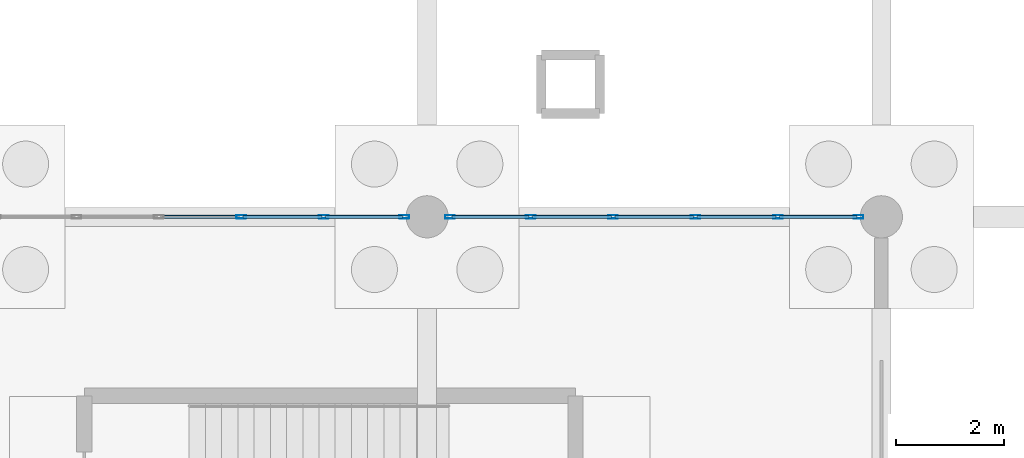
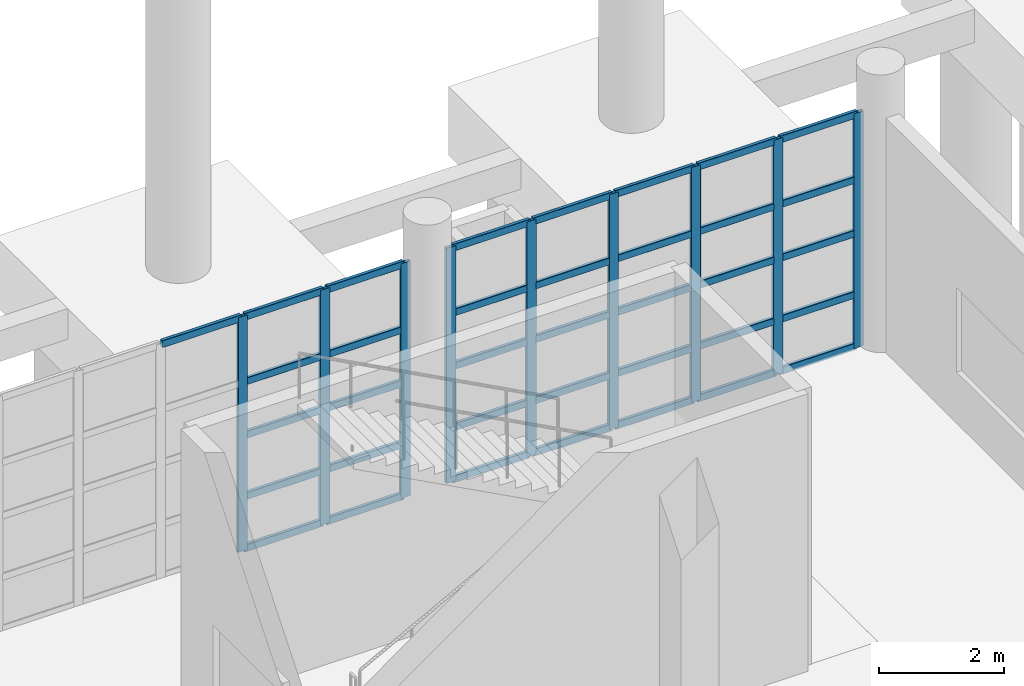
# One storey, part 36 of 83: 45 members, 2 elements without a shape of their own.
"""IFC4 building model written with IfcOpenShell, lengths in metres."""

from ifc_helpers import new_model, si_unit, direction, frame, origin, origin_2d, place, context, subcontext, project, spatial, hollow_rectangle, extrude, material, layer, layer_set, material_profile, profile_set, type_object, element, aggregate, save


model = new_model("IFC4")

# Units and contexts
model_context = context("Model", 3, precision=1e-05, world=origin(), true_north=direction((0.0, 1.0)))
body_context = subcontext(model_context, "Body", "Model", "MODEL_VIEW")
ifc_project = project(units=[si_unit("LENGTHUNIT", "METRE"), si_unit("AREAUNIT", "SQUARE_METRE"), si_unit("VOLUMEUNIT", "CUBIC_METRE"), si_unit("PLANEANGLEUNIT", "RADIAN"), si_unit("MASSUNIT", "GRAM", prefix="KILO"), si_unit("THERMODYNAMICTEMPERATUREUNIT", "KELVIN"), si_unit("POWERUNIT", "WATT")], contexts=[model_context])

# Site, building, storey
site_placement = place(None, origin())
site = spatial("IfcSite", under=ifc_project, at=site_placement, CompositionType="ELEMENT")
building_placement = place(site_placement, origin())
building = spatial("IfcBuilding", under=site, at=building_placement, Name="Mavoryth Pier Ferry Terminal", CompositionType="ELEMENT")
storey_placement = place(building_placement, origin())
storey = spatial("IfcBuildingStorey", under=building, at=storey_placement, Name="L00", CompositionType="ELEMENT", Elevation=0.0)

# Curtain wall, members
ifc_material_1 = material(Name="Anodised Aluminium and Solar-Control Low-E Glass", Category="aluminium")
ifc_layer = layer(ifc_material_1, 0.159912109375, Name="Anodised Aluminium and Solar-Control Low-E Glass", Category="aluminium")
ifc_layer_set = layer_set([ifc_layer], Name="Anodised Aluminium and Solar-Control Low-E Glass - CW-Arrivals-Mod1400")
curtain_wall_type = type_object("IfcCurtainWallType", Name="CW-Arrivals-Mod1400", PredefinedType="USERDEFINED", material=ifc_layer_set)
curtain_wall_1_placement = place(storey_placement, origin())
curtain_wall_1 = element("IfcCurtainWall", 1, at=curtain_wall_1_placement, inside=storey, type_object=curtain_wall_type, Name="Curtain Wall CW-0033-060", ObjectType="UNITISED CURTAIN WALL", PredefinedType="USERDEFINED")
ifc_material_2 = material(Name="Anodised Aluminium EN AW-6063", Category="aluminium")
ifc_material_profile_1 = material_profile(ifc_material_2, hollow_rectangle(XDim=0.06494140625, YDim=0.179931640625, WallThickness=0.00390625, InnerFilletRadius=0.00390625, OuterFilletRadius=0.008056640625, at=origin_2d()), Name="AL-MULL 180x65x4", Category="aluminium")
ifc_profile_set_1 = profile_set([ifc_material_profile_1], Name="Anodised Aluminium EN AW-6063 - AL-MULL 180x65x4")
member_type_1 = type_object("IfcMemberType", Name="Mullion-Alum-180x65", PredefinedType="MULLION", material=ifc_profile_set_1)
member_1_placement = place(storey_placement, frame((83.577392578125, 106.0, 0.0), z_axis=(0.0, 0.0, 1.0), x_axis=(0.0, -1.0, 0.0)))
member_1 = element("IfcMember", 2, at=member_1_placement, type_object=member_type_1, Name="CW04 mullion 1", PredefinedType="MULLION", context=body_context, shape_type="SweptSolid", body=[
    extrude(hollow_rectangle(XDim=0.06494140625, YDim=0.179931640625, WallThickness=0.00390625, InnerFilletRadius=0.00390625, OuterFilletRadius=0.008056640625, at=origin_2d()), origin(), (0.0, 0.0, 1.0), 4.60498046875),
])
member_2_placement = place(storey_placement, frame((82.0859375, 106.0, 0.0), z_axis=(0.0, 0.0, 1.0), x_axis=(0.0, -1.0, 0.0)))
member_2 = element("IfcMember", 3, at=member_2_placement, type_object=member_type_1, Name="CW04 mullion 2", PredefinedType="MULLION", context=body_context, shape_type="SweptSolid", body=[
    extrude(hollow_rectangle(XDim=0.06494140625, YDim=0.179931640625, WallThickness=0.00390625, InnerFilletRadius=0.00390625, OuterFilletRadius=0.008056640625, at=origin_2d()), origin(), (0.0, 0.0, 1.0), 4.60498046875),
])
member_3_placement = place(storey_placement, frame((80.56201171875, 106.0, 0.0), z_axis=(0.0, 0.0, 1.0), x_axis=(0.0, -1.0, 0.0)))
member_3 = element("IfcMember", 4, at=member_3_placement, type_object=member_type_1, Name="CW04 mullion 3", PredefinedType="MULLION", context=body_context, shape_type="SweptSolid", body=[
    extrude(hollow_rectangle(XDim=0.06494140625, YDim=0.179931640625, WallThickness=0.00390625, InnerFilletRadius=0.00390625, OuterFilletRadius=0.008056640625, at=origin_2d()), origin(), (0.0, 0.0, 1.0), 4.60498046875),
])

curtain_wall_2_placement = place(storey_placement, origin())
curtain_wall_2 = element("IfcCurtainWall", 5, at=curtain_wall_2_placement, inside=storey, type_object=curtain_wall_type, Name="Curtain Wall CW-0033-063", ObjectType="UNITISED CURTAIN WALL", PredefinedType="USERDEFINED")
member_4_placement = place(storey_placement, frame((91.9775390625, 106.0, 0.0), z_axis=(0.0, 0.0, 1.0), x_axis=(0.0, -1.0, 0.0)))
member_4 = element("IfcMember", 6, at=member_4_placement, type_object=member_type_1, Name="CW04 mullion 1", PredefinedType="MULLION", context=body_context, shape_type="SweptSolid", body=[
    extrude(hollow_rectangle(XDim=0.06494140625, YDim=0.179931640625, WallThickness=0.00390625, InnerFilletRadius=0.00390625, OuterFilletRadius=0.008056640625, at=origin_2d()), origin(), (0.0, 0.0, 1.0), 4.60498046875),
])
member_5_placement = place(storey_placement, frame((90.486083984375, 106.0, 0.0), z_axis=(0.0, 0.0, 1.0), x_axis=(0.0, -1.0, 0.0)))
member_5 = element("IfcMember", 7, at=member_5_placement, type_object=member_type_1, Name="CW04 mullion 2", PredefinedType="MULLION", context=body_context, shape_type="SweptSolid", body=[
    extrude(hollow_rectangle(XDim=0.06494140625, YDim=0.179931640625, WallThickness=0.00390625, InnerFilletRadius=0.00390625, OuterFilletRadius=0.008056640625, at=origin_2d()), origin(), (0.0, 0.0, 1.0), 4.60498046875),
])
member_6_placement = place(storey_placement, frame((88.9619140625, 106.0, 0.0), z_axis=(0.0, 0.0, 1.0), x_axis=(0.0, -1.0, 0.0)))
member_6 = element("IfcMember", 8, at=member_6_placement, type_object=member_type_1, Name="CW04 mullion 3", PredefinedType="MULLION", context=body_context, shape_type="SweptSolid", body=[
    extrude(hollow_rectangle(XDim=0.06494140625, YDim=0.179931640625, WallThickness=0.00390625, InnerFilletRadius=0.00390625, OuterFilletRadius=0.008056640625, at=origin_2d()), origin(), (0.0, 0.0, 1.0), 4.60498046875),
])
member_7_placement = place(storey_placement, frame((87.43798828125, 106.0, 0.0), z_axis=(0.0, 0.0, 1.0), x_axis=(0.0, -1.0, 0.0)))
member_7 = element("IfcMember", 9, at=member_7_placement, type_object=member_type_1, Name="CW04 mullion 4", PredefinedType="MULLION", context=body_context, shape_type="SweptSolid", body=[
    extrude(hollow_rectangle(XDim=0.06494140625, YDim=0.179931640625, WallThickness=0.00390625, InnerFilletRadius=0.00390625, OuterFilletRadius=0.008056640625, at=origin_2d()), origin(), (0.0, 0.0, 1.0), 4.60498046875),
])
member_8_placement = place(storey_placement, frame((85.9140625, 106.0, 0.0), z_axis=(0.0, 0.0, 1.0), x_axis=(0.0, -1.0, 0.0)))
member_8 = element("IfcMember", 10, at=member_8_placement, type_object=member_type_1, Name="CW04 mullion 5", PredefinedType="MULLION", context=body_context, shape_type="SweptSolid", body=[
    extrude(hollow_rectangle(XDim=0.06494140625, YDim=0.179931640625, WallThickness=0.00390625, InnerFilletRadius=0.00390625, OuterFilletRadius=0.008056640625, at=origin_2d()), origin(), (0.0, 0.0, 1.0), 4.60498046875),
])
member_9_placement = place(storey_placement, frame((84.422607421875, 106.0, 0.0), z_axis=(0.0, 0.0, 1.0), x_axis=(0.0, -1.0, 0.0)))
member_9 = element("IfcMember", 11, at=member_9_placement, type_object=member_type_1, Name="CW04 mullion 6", PredefinedType="MULLION", context=body_context, shape_type="SweptSolid", body=[
    extrude(hollow_rectangle(XDim=0.06494140625, YDim=0.179931640625, WallThickness=0.00390625, InnerFilletRadius=0.00390625, OuterFilletRadius=0.008056640625, at=origin_2d()), origin(), (0.0, 0.0, 1.0), 4.60498046875),
])

# Member
ifc_material_profile_2 = material_profile(ifc_material_2, hollow_rectangle(XDim=0.06494140625, YDim=0.139892578125, WallThickness=0.00390625, InnerFilletRadius=0.00390625, OuterFilletRadius=0.008056640625, at=origin_2d()), Name="AL-TRAN 140x65x4", Category="aluminium")
ifc_profile_set_2 = profile_set([ifc_material_profile_2], Name="Anodised Aluminium EN AW-6063 - AL-TRAN 140x65x4")
member_type_2 = type_object("IfcMemberType", Name="Transom-Alum-140x65", PredefinedType="USERDEFINED", material=ifc_profile_set_2)
member_10_placement = place(storey_placement, frame((83.544921875, 106.0, 0.032470703125), z_axis=(-1.0, 0.0, 0.0), x_axis=(0.0, -1.0, 0.0)))
member_10 = element("IfcMember", 12, at=member_10_placement, type_object=member_type_2, Name="CW04 transom 1.1", ObjectType="TRANSOM", PredefinedType="USERDEFINED", context=body_context, shape_type="SweptSolid", body=[
    extrude(hollow_rectangle(XDim=0.06494140625, YDim=0.139892578125, WallThickness=0.00390625, InnerFilletRadius=0.00390625, OuterFilletRadius=0.008056640625, at=origin_2d()), origin(), (0.0, 0.0, 1.0), 1.426513671875),
])

member_11_placement = place(storey_placement, frame((83.544921875, 106.0, 1.050048828125), z_axis=(-1.0, 0.0, 0.0), x_axis=(0.0, -1.0, 0.0)))
member_11 = element("IfcMember", 13, at=member_11_placement, type_object=member_type_2, Name="CW04 transom 1.2", ObjectType="TRANSOM", PredefinedType="USERDEFINED", context=body_context, shape_type="SweptSolid", body=[
    extrude(hollow_rectangle(XDim=0.06494140625, YDim=0.139892578125, WallThickness=0.00390625, InnerFilletRadius=0.00390625, OuterFilletRadius=0.008056640625, at=origin_2d()), origin(), (0.0, 0.0, 1.0), 1.426513671875),
])

member_12_placement = place(storey_placement, frame((83.544921875, 106.0, 2.25), z_axis=(-1.0, 0.0, 0.0), x_axis=(0.0, -1.0, 0.0)))
member_12 = element("IfcMember", 14, at=member_12_placement, type_object=member_type_2, Name="CW04 transom 1.3", ObjectType="TRANSOM", PredefinedType="USERDEFINED", context=body_context, shape_type="SweptSolid", body=[
    extrude(hollow_rectangle(XDim=0.06494140625, YDim=0.139892578125, WallThickness=0.00390625, InnerFilletRadius=0.00390625, OuterFilletRadius=0.008056640625, at=origin_2d()), origin(), (0.0, 0.0, 1.0), 1.426513671875),
])

member_13_placement = place(storey_placement, frame((83.544921875, 106.0, 3.300048828125), z_axis=(-1.0, 0.0, 0.0), x_axis=(0.0, -1.0, 0.0)))
member_13 = element("IfcMember", 15, at=member_13_placement, type_object=member_type_2, Name="CW04 transom 1.4", ObjectType="TRANSOM", PredefinedType="USERDEFINED", context=body_context, shape_type="SweptSolid", body=[
    extrude(hollow_rectangle(XDim=0.06494140625, YDim=0.139892578125, WallThickness=0.00390625, InnerFilletRadius=0.00390625, OuterFilletRadius=0.008056640625, at=origin_2d()), origin(), (0.0, 0.0, 1.0), 1.426513671875),
])

member_14_placement = place(storey_placement, frame((83.544921875, 106.0, 4.572509765625), z_axis=(-1.0, 0.0, 0.0), x_axis=(0.0, -1.0, 0.0)))
member_14 = element("IfcMember", 16, at=member_14_placement, type_object=member_type_2, Name="CW04 transom 1.5", ObjectType="TRANSOM", PredefinedType="USERDEFINED", context=body_context, shape_type="SweptSolid", body=[
    extrude(hollow_rectangle(XDim=0.06494140625, YDim=0.139892578125, WallThickness=0.00390625, InnerFilletRadius=0.00390625, OuterFilletRadius=0.008056640625, at=origin_2d()), origin(), (0.0, 0.0, 1.0), 1.426513671875),
])

member_15_placement = place(storey_placement, frame((82.053466796875, 106.0, 0.032470703125), z_axis=(-1.0, 0.0, 0.0), x_axis=(0.0, -1.0, 0.0)))
member_15 = element("IfcMember", 17, at=member_15_placement, type_object=member_type_2, Name="CW04 transom 2.1", ObjectType="TRANSOM", PredefinedType="USERDEFINED", context=body_context, shape_type="SweptSolid", body=[
    extrude(hollow_rectangle(XDim=0.06494140625, YDim=0.139892578125, WallThickness=0.00390625, InnerFilletRadius=0.00390625, OuterFilletRadius=0.008056640625, at=origin_2d()), origin(), (0.0, 0.0, 1.0), 1.458984375),
])

member_16_placement = place(storey_placement, frame((82.053466796875, 106.0, 1.050048828125), z_axis=(-1.0, 0.0, 0.0), x_axis=(0.0, -1.0, 0.0)))
member_16 = element("IfcMember", 18, at=member_16_placement, type_object=member_type_2, Name="CW04 transom 2.2", ObjectType="TRANSOM", PredefinedType="USERDEFINED", context=body_context, shape_type="SweptSolid", body=[
    extrude(hollow_rectangle(XDim=0.06494140625, YDim=0.139892578125, WallThickness=0.00390625, InnerFilletRadius=0.00390625, OuterFilletRadius=0.008056640625, at=origin_2d()), origin(), (0.0, 0.0, 1.0), 1.458984375),
])

member_17_placement = place(storey_placement, frame((82.053466796875, 106.0, 2.25), z_axis=(-1.0, 0.0, 0.0), x_axis=(0.0, -1.0, 0.0)))
member_17 = element("IfcMember", 19, at=member_17_placement, type_object=member_type_2, Name="CW04 transom 2.3", ObjectType="TRANSOM", PredefinedType="USERDEFINED", context=body_context, shape_type="SweptSolid", body=[
    extrude(hollow_rectangle(XDim=0.06494140625, YDim=0.139892578125, WallThickness=0.00390625, InnerFilletRadius=0.00390625, OuterFilletRadius=0.008056640625, at=origin_2d()), origin(), (0.0, 0.0, 1.0), 1.458984375),
])

member_18_placement = place(storey_placement, frame((82.053466796875, 106.0, 3.300048828125), z_axis=(-1.0, 0.0, 0.0), x_axis=(0.0, -1.0, 0.0)))
member_18 = element("IfcMember", 20, at=member_18_placement, type_object=member_type_2, Name="CW04 transom 2.4", ObjectType="TRANSOM", PredefinedType="USERDEFINED", context=body_context, shape_type="SweptSolid", body=[
    extrude(hollow_rectangle(XDim=0.06494140625, YDim=0.139892578125, WallThickness=0.00390625, InnerFilletRadius=0.00390625, OuterFilletRadius=0.008056640625, at=origin_2d()), origin(), (0.0, 0.0, 1.0), 1.458984375),
])

member_19_placement = place(storey_placement, frame((82.053466796875, 106.0, 4.572509765625), z_axis=(-1.0, 0.0, 0.0), x_axis=(0.0, -1.0, 0.0)))
member_19 = element("IfcMember", 21, at=member_19_placement, type_object=member_type_2, Name="CW04 transom 2.5", ObjectType="TRANSOM", PredefinedType="USERDEFINED", context=body_context, shape_type="SweptSolid", body=[
    extrude(hollow_rectangle(XDim=0.06494140625, YDim=0.139892578125, WallThickness=0.00390625, InnerFilletRadius=0.00390625, OuterFilletRadius=0.008056640625, at=origin_2d()), origin(), (0.0, 0.0, 1.0), 1.458984375),
])

member_20_placement = place(storey_placement, frame((80.529541015625, 106.0, 4.572509765625), z_axis=(-1.0, 0.0, 0.0), x_axis=(0.0, -1.0, 0.0)))
member_20 = element("IfcMember", 22, at=member_20_placement, type_object=member_type_2, Name="CW04 transom 3.5", ObjectType="TRANSOM", PredefinedType="USERDEFINED", context=body_context, shape_type="SweptSolid", body=[
    extrude(hollow_rectangle(XDim=0.06494140625, YDim=0.139892578125, WallThickness=0.00390625, InnerFilletRadius=0.00390625, OuterFilletRadius=0.008056640625, at=origin_2d()), origin(), (0.0, 0.0, 1.0), 1.458984375),
])

aggregate(curtain_wall_1, [member_1, member_2, member_3, member_10, member_11, member_12, member_13, member_14, member_15, member_16, member_17, member_18, member_19, member_20])

member_21_placement = place(storey_placement, frame((91.945068359375, 106.0, 0.032470703125), z_axis=(-1.0, 0.0, 0.0), x_axis=(0.0, -1.0, 0.0)))
member_21 = element("IfcMember", 23, at=member_21_placement, type_object=member_type_2, Name="CW04 transom 1.1", ObjectType="TRANSOM", PredefinedType="USERDEFINED", context=body_context, shape_type="SweptSolid", body=[
    extrude(hollow_rectangle(XDim=0.06494140625, YDim=0.139892578125, WallThickness=0.00390625, InnerFilletRadius=0.00390625, OuterFilletRadius=0.008056640625, at=origin_2d()), origin(), (0.0, 0.0, 1.0), 1.426513671875),
])

member_22_placement = place(storey_placement, frame((91.945068359375, 106.0, 1.050048828125), z_axis=(-1.0, 0.0, 0.0), x_axis=(0.0, -1.0, 0.0)))
member_22 = element("IfcMember", 24, at=member_22_placement, type_object=member_type_2, Name="CW04 transom 1.2", ObjectType="TRANSOM", PredefinedType="USERDEFINED", context=body_context, shape_type="SweptSolid", body=[
    extrude(hollow_rectangle(XDim=0.06494140625, YDim=0.139892578125, WallThickness=0.00390625, InnerFilletRadius=0.00390625, OuterFilletRadius=0.008056640625, at=origin_2d()), origin(), (0.0, 0.0, 1.0), 1.426513671875),
])

member_23_placement = place(storey_placement, frame((91.945068359375, 106.0, 2.25), z_axis=(-1.0, 0.0, 0.0), x_axis=(0.0, -1.0, 0.0)))
member_23 = element("IfcMember", 25, at=member_23_placement, type_object=member_type_2, Name="CW04 transom 1.3", ObjectType="TRANSOM", PredefinedType="USERDEFINED", context=body_context, shape_type="SweptSolid", body=[
    extrude(hollow_rectangle(XDim=0.06494140625, YDim=0.139892578125, WallThickness=0.00390625, InnerFilletRadius=0.00390625, OuterFilletRadius=0.008056640625, at=origin_2d()), origin(), (0.0, 0.0, 1.0), 1.426513671875),
])

member_24_placement = place(storey_placement, frame((91.945068359375, 106.0, 3.300048828125), z_axis=(-1.0, 0.0, 0.0), x_axis=(0.0, -1.0, 0.0)))
member_24 = element("IfcMember", 26, at=member_24_placement, type_object=member_type_2, Name="CW04 transom 1.4", ObjectType="TRANSOM", PredefinedType="USERDEFINED", context=body_context, shape_type="SweptSolid", body=[
    extrude(hollow_rectangle(XDim=0.06494140625, YDim=0.139892578125, WallThickness=0.00390625, InnerFilletRadius=0.00390625, OuterFilletRadius=0.008056640625, at=origin_2d()), origin(), (0.0, 0.0, 1.0), 1.426513671875),
])

member_25_placement = place(storey_placement, frame((91.945068359375, 106.0, 4.572509765625), z_axis=(-1.0, 0.0, 0.0), x_axis=(0.0, -1.0, 0.0)))
member_25 = element("IfcMember", 27, at=member_25_placement, type_object=member_type_2, Name="CW04 transom 1.5", ObjectType="TRANSOM", PredefinedType="USERDEFINED", context=body_context, shape_type="SweptSolid", body=[
    extrude(hollow_rectangle(XDim=0.06494140625, YDim=0.139892578125, WallThickness=0.00390625, InnerFilletRadius=0.00390625, OuterFilletRadius=0.008056640625, at=origin_2d()), origin(), (0.0, 0.0, 1.0), 1.426513671875),
])

member_26_placement = place(storey_placement, frame((90.45361328125, 106.0, 0.032470703125), z_axis=(-1.0, 0.0, 0.0), x_axis=(0.0, -1.0, 0.0)))
member_26 = element("IfcMember", 28, at=member_26_placement, type_object=member_type_2, Name="CW04 transom 2.1", ObjectType="TRANSOM", PredefinedType="USERDEFINED", context=body_context, shape_type="SweptSolid", body=[
    extrude(hollow_rectangle(XDim=0.06494140625, YDim=0.139892578125, WallThickness=0.00390625, InnerFilletRadius=0.00390625, OuterFilletRadius=0.008056640625, at=origin_2d()), origin(), (0.0, 0.0, 1.0), 1.459228515625),
])

member_27_placement = place(storey_placement, frame((90.45361328125, 106.0, 1.050048828125), z_axis=(-1.0, 0.0, 0.0), x_axis=(0.0, -1.0, 0.0)))
member_27 = element("IfcMember", 29, at=member_27_placement, type_object=member_type_2, Name="CW04 transom 2.2", ObjectType="TRANSOM", PredefinedType="USERDEFINED", context=body_context, shape_type="SweptSolid", body=[
    extrude(hollow_rectangle(XDim=0.06494140625, YDim=0.139892578125, WallThickness=0.00390625, InnerFilletRadius=0.00390625, OuterFilletRadius=0.008056640625, at=origin_2d()), origin(), (0.0, 0.0, 1.0), 1.459228515625),
])

member_28_placement = place(storey_placement, frame((90.45361328125, 106.0, 2.25), z_axis=(-1.0, 0.0, 0.0), x_axis=(0.0, -1.0, 0.0)))
member_28 = element("IfcMember", 30, at=member_28_placement, type_object=member_type_2, Name="CW04 transom 2.3", ObjectType="TRANSOM", PredefinedType="USERDEFINED", context=body_context, shape_type="SweptSolid", body=[
    extrude(hollow_rectangle(XDim=0.06494140625, YDim=0.139892578125, WallThickness=0.00390625, InnerFilletRadius=0.00390625, OuterFilletRadius=0.008056640625, at=origin_2d()), origin(), (0.0, 0.0, 1.0), 1.459228515625),
])

member_29_placement = place(storey_placement, frame((90.45361328125, 106.0, 3.300048828125), z_axis=(-1.0, 0.0, 0.0), x_axis=(0.0, -1.0, 0.0)))
member_29 = element("IfcMember", 31, at=member_29_placement, type_object=member_type_2, Name="CW04 transom 2.4", ObjectType="TRANSOM", PredefinedType="USERDEFINED", context=body_context, shape_type="SweptSolid", body=[
    extrude(hollow_rectangle(XDim=0.06494140625, YDim=0.139892578125, WallThickness=0.00390625, InnerFilletRadius=0.00390625, OuterFilletRadius=0.008056640625, at=origin_2d()), origin(), (0.0, 0.0, 1.0), 1.459228515625),
])

member_30_placement = place(storey_placement, frame((90.45361328125, 106.0, 4.572509765625), z_axis=(-1.0, 0.0, 0.0), x_axis=(0.0, -1.0, 0.0)))
member_30 = element("IfcMember", 32, at=member_30_placement, type_object=member_type_2, Name="CW04 transom 2.5", ObjectType="TRANSOM", PredefinedType="USERDEFINED", context=body_context, shape_type="SweptSolid", body=[
    extrude(hollow_rectangle(XDim=0.06494140625, YDim=0.139892578125, WallThickness=0.00390625, InnerFilletRadius=0.00390625, OuterFilletRadius=0.008056640625, at=origin_2d()), origin(), (0.0, 0.0, 1.0), 1.459228515625),
])

member_31_placement = place(storey_placement, frame((88.929443359375, 106.0, 0.032470703125), z_axis=(-1.0, 0.0, 0.0), x_axis=(0.0, -1.0, 0.0)))
member_31 = element("IfcMember", 33, at=member_31_placement, type_object=member_type_2, Name="CW04 transom 3.1", ObjectType="TRANSOM", PredefinedType="USERDEFINED", context=body_context, shape_type="SweptSolid", body=[
    extrude(hollow_rectangle(XDim=0.06494140625, YDim=0.139892578125, WallThickness=0.00390625, InnerFilletRadius=0.00390625, OuterFilletRadius=0.008056640625, at=origin_2d()), origin(), (0.0, 0.0, 1.0), 1.458984375),
])

member_32_placement = place(storey_placement, frame((88.929443359375, 106.0, 1.050048828125), z_axis=(-1.0, 0.0, 0.0), x_axis=(0.0, -1.0, 0.0)))
member_32 = element("IfcMember", 34, at=member_32_placement, type_object=member_type_2, Name="CW04 transom 3.2", ObjectType="TRANSOM", PredefinedType="USERDEFINED", context=body_context, shape_type="SweptSolid", body=[
    extrude(hollow_rectangle(XDim=0.06494140625, YDim=0.139892578125, WallThickness=0.00390625, InnerFilletRadius=0.00390625, OuterFilletRadius=0.008056640625, at=origin_2d()), origin(), (0.0, 0.0, 1.0), 1.458984375),
])

member_33_placement = place(storey_placement, frame((88.929443359375, 106.0, 2.25), z_axis=(-1.0, 0.0, 0.0), x_axis=(0.0, -1.0, 0.0)))
member_33 = element("IfcMember", 35, at=member_33_placement, type_object=member_type_2, Name="CW04 transom 3.3", ObjectType="TRANSOM", PredefinedType="USERDEFINED", context=body_context, shape_type="SweptSolid", body=[
    extrude(hollow_rectangle(XDim=0.06494140625, YDim=0.139892578125, WallThickness=0.00390625, InnerFilletRadius=0.00390625, OuterFilletRadius=0.008056640625, at=origin_2d()), origin(), (0.0, 0.0, 1.0), 1.458984375),
])

member_34_placement = place(storey_placement, frame((88.929443359375, 106.0, 3.300048828125), z_axis=(-1.0, 0.0, 0.0), x_axis=(0.0, -1.0, 0.0)))
member_34 = element("IfcMember", 36, at=member_34_placement, type_object=member_type_2, Name="CW04 transom 3.4", ObjectType="TRANSOM", PredefinedType="USERDEFINED", context=body_context, shape_type="SweptSolid", body=[
    extrude(hollow_rectangle(XDim=0.06494140625, YDim=0.139892578125, WallThickness=0.00390625, InnerFilletRadius=0.00390625, OuterFilletRadius=0.008056640625, at=origin_2d()), origin(), (0.0, 0.0, 1.0), 1.458984375),
])

member_35_placement = place(storey_placement, frame((88.929443359375, 106.0, 4.572509765625), z_axis=(-1.0, 0.0, 0.0), x_axis=(0.0, -1.0, 0.0)))
member_35 = element("IfcMember", 37, at=member_35_placement, type_object=member_type_2, Name="CW04 transom 3.5", ObjectType="TRANSOM", PredefinedType="USERDEFINED", context=body_context, shape_type="SweptSolid", body=[
    extrude(hollow_rectangle(XDim=0.06494140625, YDim=0.139892578125, WallThickness=0.00390625, InnerFilletRadius=0.00390625, OuterFilletRadius=0.008056640625, at=origin_2d()), origin(), (0.0, 0.0, 1.0), 1.458984375),
])

member_36_placement = place(storey_placement, frame((87.405517578125, 106.0, 0.032470703125), z_axis=(-1.0, 0.0, 0.0), x_axis=(0.0, -1.0, 0.0)))
member_36 = element("IfcMember", 38, at=member_36_placement, type_object=member_type_2, Name="CW04 transom 4.1", ObjectType="TRANSOM", PredefinedType="USERDEFINED", context=body_context, shape_type="SweptSolid", body=[
    extrude(hollow_rectangle(XDim=0.06494140625, YDim=0.139892578125, WallThickness=0.00390625, InnerFilletRadius=0.00390625, OuterFilletRadius=0.008056640625, at=origin_2d()), origin(), (0.0, 0.0, 1.0), 1.458984375),
])

member_37_placement = place(storey_placement, frame((87.405517578125, 106.0, 1.050048828125), z_axis=(-1.0, 0.0, 0.0), x_axis=(0.0, -1.0, 0.0)))
member_37 = element("IfcMember", 39, at=member_37_placement, type_object=member_type_2, Name="CW04 transom 4.2", ObjectType="TRANSOM", PredefinedType="USERDEFINED", context=body_context, shape_type="SweptSolid", body=[
    extrude(hollow_rectangle(XDim=0.06494140625, YDim=0.139892578125, WallThickness=0.00390625, InnerFilletRadius=0.00390625, OuterFilletRadius=0.008056640625, at=origin_2d()), origin(), (0.0, 0.0, 1.0), 1.458984375),
])

member_38_placement = place(storey_placement, frame((87.405517578125, 106.0, 2.25), z_axis=(-1.0, 0.0, 0.0), x_axis=(0.0, -1.0, 0.0)))
member_38 = element("IfcMember", 40, at=member_38_placement, type_object=member_type_2, Name="CW04 transom 4.3", ObjectType="TRANSOM", PredefinedType="USERDEFINED", context=body_context, shape_type="SweptSolid", body=[
    extrude(hollow_rectangle(XDim=0.06494140625, YDim=0.139892578125, WallThickness=0.00390625, InnerFilletRadius=0.00390625, OuterFilletRadius=0.008056640625, at=origin_2d()), origin(), (0.0, 0.0, 1.0), 1.458984375),
])

member_39_placement = place(storey_placement, frame((87.405517578125, 106.0, 3.300048828125), z_axis=(-1.0, 0.0, 0.0), x_axis=(0.0, -1.0, 0.0)))
member_39 = element("IfcMember", 41, at=member_39_placement, type_object=member_type_2, Name="CW04 transom 4.4", ObjectType="TRANSOM", PredefinedType="USERDEFINED", context=body_context, shape_type="SweptSolid", body=[
    extrude(hollow_rectangle(XDim=0.06494140625, YDim=0.139892578125, WallThickness=0.00390625, InnerFilletRadius=0.00390625, OuterFilletRadius=0.008056640625, at=origin_2d()), origin(), (0.0, 0.0, 1.0), 1.458984375),
])

member_40_placement = place(storey_placement, frame((87.405517578125, 106.0, 4.572509765625), z_axis=(-1.0, 0.0, 0.0), x_axis=(0.0, -1.0, 0.0)))
member_40 = element("IfcMember", 42, at=member_40_placement, type_object=member_type_2, Name="CW04 transom 4.5", ObjectType="TRANSOM", PredefinedType="USERDEFINED", context=body_context, shape_type="SweptSolid", body=[
    extrude(hollow_rectangle(XDim=0.06494140625, YDim=0.139892578125, WallThickness=0.00390625, InnerFilletRadius=0.00390625, OuterFilletRadius=0.008056640625, at=origin_2d()), origin(), (0.0, 0.0, 1.0), 1.458984375),
])

member_41_placement = place(storey_placement, frame((85.881591796875, 106.0, 0.032470703125), z_axis=(-1.0, 0.0, 0.0), x_axis=(0.0, -1.0, 0.0)))
member_41 = element("IfcMember", 43, at=member_41_placement, type_object=member_type_2, Name="CW04 transom 5.1", ObjectType="TRANSOM", PredefinedType="USERDEFINED", context=body_context, shape_type="SweptSolid", body=[
    extrude(hollow_rectangle(XDim=0.06494140625, YDim=0.139892578125, WallThickness=0.00390625, InnerFilletRadius=0.00390625, OuterFilletRadius=0.008056640625, at=origin_2d()), origin(), (0.0, 0.0, 1.0), 1.426513671875),
])

member_42_placement = place(storey_placement, frame((85.881591796875, 106.0, 1.050048828125), z_axis=(-1.0, 0.0, 0.0), x_axis=(0.0, -1.0, 0.0)))
member_42 = element("IfcMember", 44, at=member_42_placement, type_object=member_type_2, Name="CW04 transom 5.2", ObjectType="TRANSOM", PredefinedType="USERDEFINED", context=body_context, shape_type="SweptSolid", body=[
    extrude(hollow_rectangle(XDim=0.06494140625, YDim=0.139892578125, WallThickness=0.00390625, InnerFilletRadius=0.00390625, OuterFilletRadius=0.008056640625, at=origin_2d()), origin(), (0.0, 0.0, 1.0), 1.426513671875),
])

member_43_placement = place(storey_placement, frame((85.881591796875, 106.0, 2.25), z_axis=(-1.0, 0.0, 0.0), x_axis=(0.0, -1.0, 0.0)))
member_43 = element("IfcMember", 45, at=member_43_placement, type_object=member_type_2, Name="CW04 transom 5.3", ObjectType="TRANSOM", PredefinedType="USERDEFINED", context=body_context, shape_type="SweptSolid", body=[
    extrude(hollow_rectangle(XDim=0.06494140625, YDim=0.139892578125, WallThickness=0.00390625, InnerFilletRadius=0.00390625, OuterFilletRadius=0.008056640625, at=origin_2d()), origin(), (0.0, 0.0, 1.0), 1.426513671875),
])

member_44_placement = place(storey_placement, frame((85.881591796875, 106.0, 3.300048828125), z_axis=(-1.0, 0.0, 0.0), x_axis=(0.0, -1.0, 0.0)))
member_44 = element("IfcMember", 46, at=member_44_placement, type_object=member_type_2, Name="CW04 transom 5.4", ObjectType="TRANSOM", PredefinedType="USERDEFINED", context=body_context, shape_type="SweptSolid", body=[
    extrude(hollow_rectangle(XDim=0.06494140625, YDim=0.139892578125, WallThickness=0.00390625, InnerFilletRadius=0.00390625, OuterFilletRadius=0.008056640625, at=origin_2d()), origin(), (0.0, 0.0, 1.0), 1.426513671875),
])

member_45_placement = place(storey_placement, frame((85.881591796875, 106.0, 4.572509765625), z_axis=(-1.0, 0.0, 0.0), x_axis=(0.0, -1.0, 0.0)))
member_45 = element("IfcMember", 47, at=member_45_placement, type_object=member_type_2, Name="CW04 transom 5.5", ObjectType="TRANSOM", PredefinedType="USERDEFINED", context=body_context, shape_type="SweptSolid", body=[
    extrude(hollow_rectangle(XDim=0.06494140625, YDim=0.139892578125, WallThickness=0.00390625, InnerFilletRadius=0.00390625, OuterFilletRadius=0.008056640625, at=origin_2d()), origin(), (0.0, 0.0, 1.0), 1.426513671875),
])

aggregate(curtain_wall_2, [member_4, member_5, member_6, member_7, member_8, member_9, member_21, member_22, member_23, member_24, member_25, member_26, member_27, member_28, member_29, member_30, member_31, member_32, member_33, member_34, member_35, member_36, member_37, member_38, member_39, member_40, member_41, member_42, member_43, member_44, member_45])

save(model, "model.ifc")
